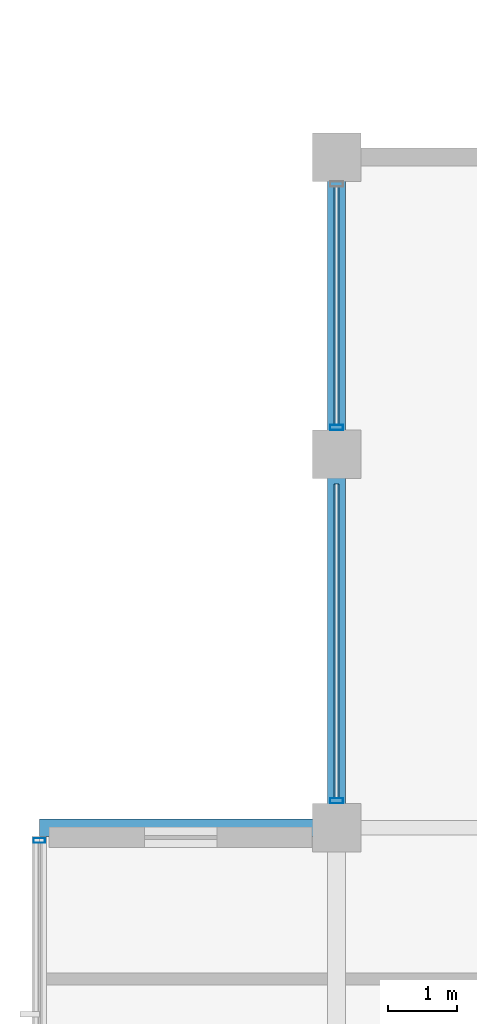
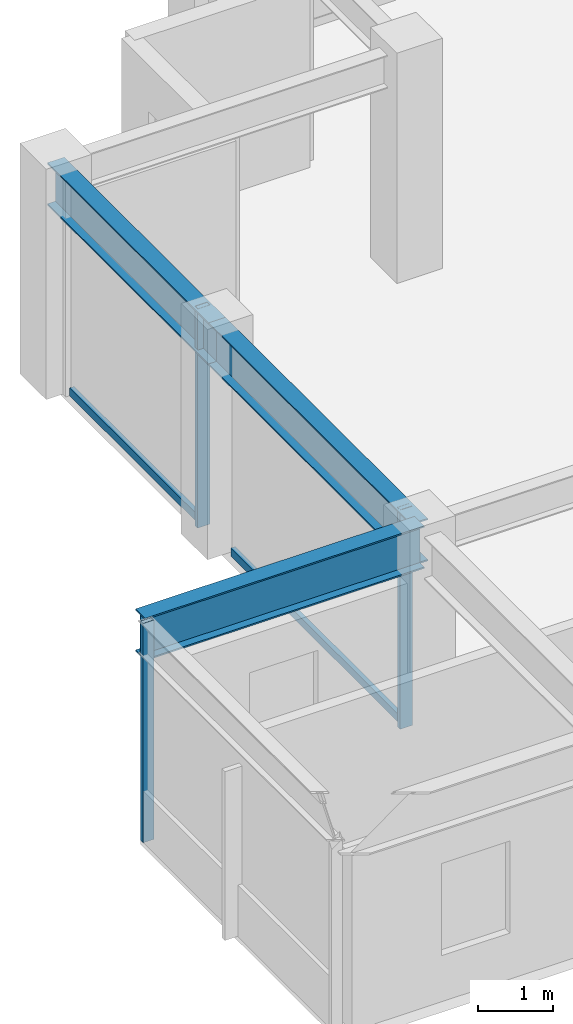
# One storey, part 13 of 31: 5 members, 3 beams, 2 elements without a shape of their own.
"""IFC4 building model written with IfcOpenShell, lengths in metres."""

from ifc_helpers import new_model, si_unit, direction, frame, origin, origin_2d, place, context, subcontext, project, spatial, hollow_rectangle, i_section, extrude, material, layer, layer_set, material_profile, profile_set, type_object, element, aggregate, save


model = new_model("IFC4")

# Units and contexts
model_context = context("Model", 3, precision=1e-05, world=origin(), true_north=direction((0.0, 1.0)))
body_context = subcontext(model_context, "Body", "Model", "MODEL_VIEW")
ifc_project = project(units=[si_unit("LENGTHUNIT", "METRE"), si_unit("AREAUNIT", "SQUARE_METRE"), si_unit("VOLUMEUNIT", "CUBIC_METRE"), si_unit("PLANEANGLEUNIT", "RADIAN"), si_unit("MASSUNIT", "GRAM", prefix="KILO")], contexts=[model_context])

# Site, building, storey
site_placement = place(None, origin())
site = spatial("IfcSite", under=ifc_project, at=site_placement, CompositionType="ELEMENT")
building_placement = place(site_placement, origin())
building = spatial("IfcBuilding", under=site, at=building_placement, Name="Surkhivell Harbour Commons", CompositionType="ELEMENT")
storey_placement = place(building_placement, frame((0.0, 0.0, 266.25)))
storey = spatial("IfcBuildingStorey", under=building, at=storey_placement, Name="L69", CompositionType="ELEMENT", Elevation=266.25)

# Beams
ifc_material_1 = material(Name="Steel S460", Category="steel")
ifc_material_profile_1 = material_profile(ifc_material_1, i_section(OverallWidth=0.256103515625, OverallDepth=0.693115234375, WebThickness=0.014404296875, FlangeThickness=0.023681640625, at=origin_2d()), Name="UB686x254x170")
ifc_profile_set_1 = profile_set([ifc_material_profile_1], Name="Steel S460")
beam_type_1 = type_object("IfcBeamType", Name="BM-CNT-686", PredefinedType="BEAM", material=ifc_profile_set_1)
beam_1_placement = place(storey_placement, frame((-27.0, 10.800048828125, 3.223388671875), z_axis=(-1.0, 0.0, 0.0), x_axis=(0.0, -1.0, 0.0)))
element("IfcBeam", 1, at=beam_1_placement, inside=storey, type_object=beam_type_1, Name="L69 Box Cantilever Outrigger (-27.0,10.8)", PredefinedType="BEAM", context=body_context, shape_type="SweptSolid", body=[
    extrude(i_section(OverallWidth=0.256103515625, OverallDepth=0.693115234375, WebThickness=0.014404296875, FlangeThickness=0.023681640625, at=origin_2d()), origin(), (0.0, 0.0, 1.0), 4.300048828125),
])
ifc_material_2 = material(Name="Steel S355", Category="steel")
ifc_material_profile_2 = material_profile(ifc_material_2, i_section(OverallWidth=0.256103515625, OverallDepth=0.693115234375, WebThickness=0.014404296875, FlangeThickness=0.023681640625, at=origin_2d()), Name="UB686x254x170")
ifc_profile_set_2 = profile_set([ifc_material_profile_2], Name="Steel S355")
beam_type_2 = type_object("IfcBeamType", Name="BM-SPN-686", PredefinedType="SPANDREL", material=ifc_profile_set_2)
beam_2_placement = place(storey_placement, frame((-27.0, 10.800048828125, 3.223388671875), z_axis=(0.0, 1.0, 0.0), x_axis=(-1.0, 0.0, 0.0)))
element("IfcBeam", 2, at=beam_2_placement, inside=storey, type_object=beam_type_2, Name="L69 Tube Spandrel (-27.0,10.8)", PredefinedType="SPANDREL", context=body_context, shape_type="SweptSolid", body=[
    extrude(i_section(OverallWidth=0.256103515625, OverallDepth=0.693115234375, WebThickness=0.014404296875, FlangeThickness=0.023681640625, at=origin_2d()), origin(), (0.0, 0.0, 1.0), 5.39990234375),
])
beam_3_placement = place(storey_placement, frame((-27.0, 16.199951171875, 3.223388671875), z_axis=(0.0, 1.0, 0.0), x_axis=(-1.0, 0.0, 0.0)))
element("IfcBeam", 3, at=beam_3_placement, inside=storey, type_object=beam_type_2, Name="L69 Tube Spandrel (-27.0,16.2)", PredefinedType="SPANDREL", context=body_context, shape_type="SweptSolid", body=[
    extrude(i_section(OverallWidth=0.256103515625, OverallDepth=0.693115234375, WebThickness=0.014404296875, FlangeThickness=0.023681640625, at=origin_2d()), origin(), (0.0, 0.0, 1.0), 4.300048828125),
])

# Curtain wall, member
ifc_material_3 = material(Name="Anodised pale-metal aluminium and insulated glazing", Category="aluminium")
ifc_layer_1 = layer(ifc_material_3, 0.1650390625)
ifc_layer_set_1 = layer_set([ifc_layer_1], Name="Anodised pale-metal aluminium and insulated glazing")
curtain_wall_type_1 = type_object("IfcCurtainWallType", Name="CW-SYS-BOX", PredefinedType="NOTDEFINED", material=ifc_layer_set_1)
curtain_wall_1_placement = place(storey_placement, origin())
curtain_wall_1 = element("IfcCurtainWall", 4, at=curtain_wall_1_placement, inside=storey, type_object=curtain_wall_type_1, Name="L69 Curtain Wall CW-L69-BOX02", PredefinedType="NOTDEFINED")
ifc_material_4 = material(Name="Champagne anodised aluminium alloy 6063-T6", Category="aluminium")
ifc_material_profile_3 = material_profile(ifc_material_4, hollow_rectangle(XDim=0.070068359375, YDim=0.1650390625, WallThickness=0.00341796875, at=origin_2d()), Name="ALU-MULL-70x165")
ifc_profile_set_3 = profile_set([ifc_material_profile_3], Name="Champagne anodised aluminium alloy 6063-T6")
member_type_1 = type_object("IfcMemberType", Name="CWM-165", PredefinedType="MULLION", material=ifc_profile_set_3)
member_1_placement = place(storey_placement, frame((-31.300048828125, 10.614990234375, 0.0), z_axis=(0.0, 0.0, 1.0), x_axis=(0.0, 1.0, 0.0)))
member_1 = element("IfcMember", 5, at=member_1_placement, type_object=member_type_1, Name="CW-BOX mullion 2", PredefinedType="MULLION", context=body_context, shape_type="SweptSolid", body=[
    extrude(hollow_rectangle(XDim=0.070068359375, YDim=0.1650390625, WallThickness=0.00341796875, at=origin_2d()), origin(), (0.0, 0.0, 1.0), 3.570068359375),
])
aggregate(curtain_wall_1, [member_1])

# Curtain wall, members
ifc_layer_2 = layer(ifc_material_3, 0.175048828125)
ifc_layer_set_2 = layer_set([ifc_layer_2], Name="Anodised pale-metal aluminium and insulated glazing")
curtain_wall_type_2 = type_object("IfcCurtainWallType", Name="CW-SYS-Z4", PredefinedType="NOTDEFINED", material=ifc_layer_set_2)
curtain_wall_2_placement = place(storey_placement, origin())
curtain_wall_2 = element("IfcCurtainWall", 6, at=curtain_wall_2_placement, inside=storey, type_object=curtain_wall_type_2, Name="L69 Curtain Wall CW-L69-E12R2", PredefinedType="NOTDEFINED")
ifc_material_5 = material(Name="Anodised pale-metal aluminium alloy 6063-T6", Category="aluminium")
ifc_material_profile_4 = material_profile(ifc_material_5, hollow_rectangle(XDim=0.074951171875, YDim=0.18994140625, WallThickness=0.00390625, at=origin_2d()), Name="ALU-MULL-75x190")
ifc_profile_set_4 = profile_set([ifc_material_profile_4], Name="Anodised pale-metal aluminium alloy 6063-T6")
member_type_2 = type_object("IfcMemberType", Name="CWM-190", PredefinedType="MULLION", material=ifc_profile_set_4)
member_2_placement = place(storey_placement, frame((-27.0, 11.189453125, 0.0), z_axis=(0.0, 0.0, 1.0), x_axis=(0.0, 1.0, 0.0)))
member_2 = element("IfcMember", 7, at=member_2_placement, type_object=member_type_2, Name="CW-Z4 mullion 1", PredefinedType="MULLION", context=body_context, shape_type="SweptSolid", body=[
    extrude(hollow_rectangle(XDim=0.074951171875, YDim=0.18994140625, WallThickness=0.00390625, at=origin_2d()), origin(), (0.0, 0.0, 1.0), 3.570068359375),
])
member_3_placement = place(storey_placement, frame((-27.0, 16.589599609375, 0.0), z_axis=(0.0, 0.0, 1.0), x_axis=(0.0, 1.0, 0.0)))
member_3 = element("IfcMember", 8, at=member_3_placement, type_object=member_type_2, Name="CW-Z4 mullion 2", PredefinedType="MULLION", context=body_context, shape_type="SweptSolid", body=[
    extrude(hollow_rectangle(XDim=0.074951171875, YDim=0.18994140625, WallThickness=0.00390625, at=origin_2d()), origin(), (0.0, 0.0, 1.0), 3.570068359375),
])
ifc_material_profile_5 = material_profile(ifc_material_4, hollow_rectangle(XDim=0.070068359375, YDim=0.1298828125, WallThickness=0.00341796875, at=origin_2d()), Name="ALU-TRAN-70x130")
ifc_profile_set_5 = profile_set([ifc_material_profile_5], Name="Champagne anodised aluminium alloy 6063-T6")
member_type_3 = type_object("IfcMemberType", Name="CWT-130", PredefinedType="USERDEFINED", material=ifc_profile_set_5)
member_4_placement = place(storey_placement, frame((-27.0, 11.22705078125, 0.06494140625), z_axis=(0.0, 1.0, 0.0), x_axis=(-1.0, 0.0, 0.0)))
member_4 = element("IfcMember", 9, at=member_4_placement, type_object=member_type_3, Name="CW-Z4 transom 1.1", ObjectType="TRANSOM", PredefinedType="USERDEFINED", context=body_context, shape_type="SweptSolid", body=[
    extrude(hollow_rectangle(XDim=0.070068359375, YDim=0.1298828125, WallThickness=0.00341796875, at=origin_2d()), origin(), (0.0, 0.0, 1.0), 4.5458984375),
])
member_5_placement = place(storey_placement, frame((-27.0, 16.626953125, 0.06494140625), z_axis=(0.0, 1.0, 0.0), x_axis=(-1.0, 0.0, 0.0)))
member_5 = element("IfcMember", 10, at=member_5_placement, type_object=member_type_3, Name="CW-Z4 transom 2.1", ObjectType="TRANSOM", PredefinedType="USERDEFINED", context=body_context, shape_type="SweptSolid", body=[
    extrude(hollow_rectangle(XDim=0.070068359375, YDim=0.1298828125, WallThickness=0.00341796875, at=origin_2d()), origin(), (0.0, 0.0, 1.0), 3.446044921875),
])
aggregate(curtain_wall_2, [member_2, member_4, member_3, member_5])

save(model, "model.ifc")
